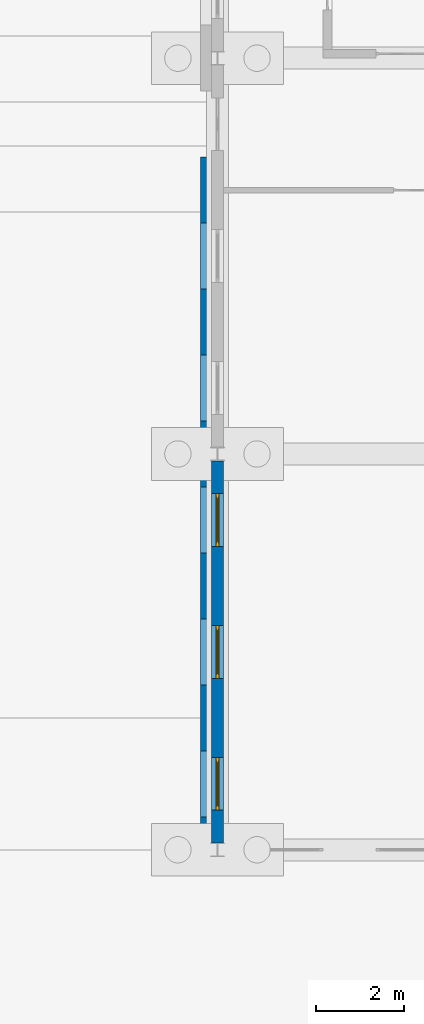
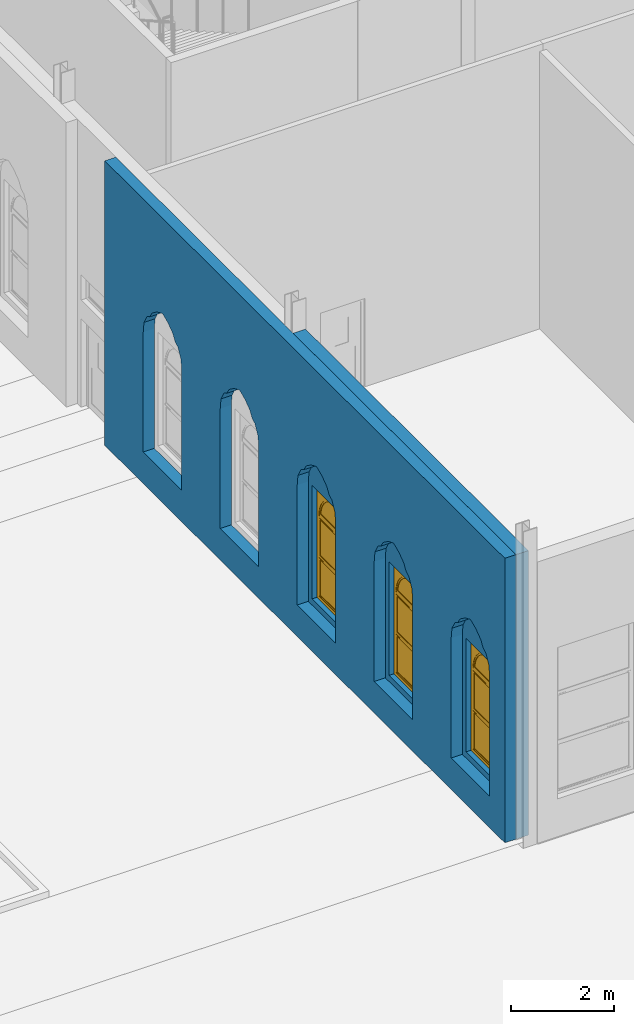
# One storey, part 100 of 250: 3 windows, 2 walls, 3 openings.
"""IFC4 building model written with IfcOpenShell, lengths in metres."""

import ifcopenshell
import ifcopenshell.guid

model = None  # the IFC model being written
_history = None  # IfcOwnerHistory: only IFC2X3 demands one
_inside = {}  # id of a spatial element -> (the spatial element, [elements in it])
_under = {}  # id of a project, library or spatial element -> (it, [spatial elements below it])
_declared = {}  # id of a project -> (the project, [libraries it declares])
_typed = {}  # id of a type object -> (the type object, [elements of that type])
_made_of = {}  # id of a material, layer set ... -> (it, [elements and type objects made of it])


def new_model(schema):
    """Start an empty IFC model of exactly this schema.

    Asked for "IFC4X3", IfcOpenShell would pick the latest addendum, in which some entities
    have other attributes; the version numbers below select the first issue.
    IFC2X3 requires an IfcOwnerHistory on every rooted entity: one is made here for all.
    """
    global model, _history
    if schema == "IFC4X3":
        model = ifcopenshell.file(schema_version=(4, 3, 0, 0))
    else:
        model = ifcopenshell.file(schema=schema)
    _inside.clear()
    _under.clear()
    _declared.clear()
    _typed.clear()
    _made_of.clear()
    _history = None
    if model.schema == "IFC2X3":
        org = make("IfcOrganization", Name="unknown")
        user = make(
            "IfcPersonAndOrganization",
            ThePerson=make("IfcPerson", FamilyName="unknown"),
            TheOrganization=org,
        )
        app = make(
            "IfcApplication",
            ApplicationDeveloper=org,
            Version="unknown",
            ApplicationFullName="unknown",
            ApplicationIdentifier="unknown",
        )
        _history = make(
            "IfcOwnerHistory",
            OwningUser=user,
            OwningApplication=app,
            ChangeAction="ADDED",
            CreationDate=0,
        )
    return model


def make(cls, **values):
    """One entity of the class cls with the attributes given. An attribute that is None is left unset."""
    return model.create_entity(
        cls, **{name: value for name, value in values.items() if value is not None}
    )


def rooted(cls, **values):
    """An entity with a GlobalId (a new one), such as an element, a storey or a relation."""
    return make(cls, GlobalId=ifcopenshell.guid.new(), OwnerHistory=_history, **values)


def si_unit(unit_type, name, prefix=None):
    """IfcSIUnit, for example si_unit("LENGTHUNIT", "METRE", prefix="MILLI")."""
    return make("IfcSIUnit", UnitType=unit_type, Prefix=prefix, Name=name)


def assignment(units):
    """IfcUnitAssignment: the units of a project."""
    return None if units is None else make("IfcUnitAssignment", Units=units)


def point(xyz):
    """IfcCartesianPoint."""
    return None if xyz is None else make("IfcCartesianPoint", Coordinates=xyz)


def direction(xyz):
    """IfcDirection."""
    return None if xyz is None else make("IfcDirection", DirectionRatios=xyz)


def frame(location, z_axis=None, x_axis=None):
    """IfcAxis2Placement3D, a coordinate frame: its origin and axes. An axis left out is left unset."""
    return make(
        "IfcAxis2Placement3D",
        Location=point(location),
        Axis=direction(z_axis),
        RefDirection=direction(x_axis),
    )


def frame_2d(location, x_axis=None):
    """IfcAxis2Placement2D, a coordinate frame in the plane: its origin and x axis."""
    return make(
        "IfcAxis2Placement2D", Location=point(location), RefDirection=direction(x_axis)
    )


def origin():
    """The frame at (0, 0, 0) with its axes left unset."""
    return frame((0.0, 0.0, 0.0))


def place(relative_to, where):
    """IfcLocalPlacement: puts the frame where relative to a parent placement (None: the world)."""
    return make(
        "IfcLocalPlacement", PlacementRelTo=relative_to, RelativePlacement=where
    )


def context(
    kind, dimensions, precision=None, world=None, true_north=None, identifier=None
):
    """IfcGeometricRepresentationContext, for example the 3D "Model" context."""
    return make(
        "IfcGeometricRepresentationContext",
        ContextIdentifier=identifier,
        ContextType=kind,
        CoordinateSpaceDimension=dimensions,
        Precision=precision,
        WorldCoordinateSystem=world,
        TrueNorth=true_north,
    )


def subcontext(parent, identifier, kind, view, scale=None):
    """IfcGeometricRepresentationSubContext, for example "Body" below "Model"."""
    return make(
        "IfcGeometricRepresentationSubContext",
        ContextIdentifier=identifier,
        ContextType=kind,
        ParentContext=parent,
        TargetScale=scale,
        TargetView=view,
    )


def project(units=None, contexts=None):
    """IfcProject with its units and contexts."""
    return rooted(
        "IfcProject",
        Name="project",
        RepresentationContexts=contexts,
        UnitsInContext=assignment(units),
    )


def spatial(cls, under=None, at=None, **own):
    """A site, building, storey or space (cls), placed at a placement, below another one or the project."""
    s = rooted(cls, ObjectPlacement=at, **own)
    if under is not None:
        _under.setdefault(under.id(), (under, []))[1].append(s)
    return s


def polyline(points):
    """IfcPolyline through the points."""
    return make("IfcPolyline", Points=[point(p) for p in points])


def profile(cls, at=None, kind="AREA", **sizes):
    """A parametric profile (cls). Its sizes go by their IFC names, for example OverallWidth=200.0."""
    return make(cls, ProfileType=kind, Position=at, **sizes)


def rectangle(**sizes):
    """IfcRectangleProfileDef."""
    return profile("IfcRectangleProfileDef", **sizes)


def outline(outer, holes=None, kind="AREA"):
    """IfcArbitraryClosedProfileDef: a profile drawn as a closed curve; with holes, ...WithVoids."""
    if holes is None:
        return make("IfcArbitraryClosedProfileDef", ProfileType=kind, OuterCurve=outer)
    return make(
        "IfcArbitraryProfileDefWithVoids",
        ProfileType=kind,
        OuterCurve=outer,
        InnerCurves=holes,
    )


def extrude(swept, where, along, depth):
    """IfcExtrudedAreaSolid: the profile swept, set in the frame where, extruded along a direction by depth."""
    return make(
        "IfcExtrudedAreaSolid",
        SweptArea=swept,
        Position=where,
        ExtrudedDirection=direction(along),
        Depth=depth,
    )


def shape(context_of_items, identifier, shape_type, items):
    """IfcShapeRepresentation: the items that make up one representation, for example the "Body"."""
    return make(
        "IfcShapeRepresentation",
        ContextOfItems=context_of_items,
        RepresentationIdentifier=identifier,
        RepresentationType=shape_type,
        Items=items,
    )


def material(Name=None, Category=None):
    """IfcMaterial."""
    return make("IfcMaterial", Name=Name, Category=Category)


def layer(
    of_material, thickness, ventilated=None, Name=None, Category=None, Priority=None
):
    """IfcMaterialLayer: one layer of a wall or slab, of a material (None: an air gap)."""
    return make(
        "IfcMaterialLayer",
        Material=of_material,
        LayerThickness=thickness,
        IsVentilated=ventilated,
        Name=Name,
        Category=Category,
        Priority=Priority,
    )


def layer_set(layers, Name=None):
    """IfcMaterialLayerSet."""
    return make("IfcMaterialLayerSet", MaterialLayers=layers, LayerSetName=Name)


def made_of(thing, what):
    """Note that an element or type object is made of a material, layer set ...; save() writes the relation."""
    if what is not None:
        _made_of.setdefault(what.id(), (what, []))[1].append(thing)
    return thing


def type_object(cls, material=None, **own):
    """A type object (cls), such as IfcWallType, which elements share."""
    return made_of(rooted(cls, **own), material)


def element(
    cls,
    number,
    at=None,
    inside=None,
    cuts=None,
    type_object=None,
    material=None,
    context=None,
    identifier="Body",
    shape_type=None,
    held_by="IfcProductDefinitionShape",
    body=None,
    shapes=None,
    **own,
):
    """One element of the class cls, such as IfcWall. Its Tag is "e" and its number.

    at: its placement. inside: the storey or other place that contains it. cuts: it is an
    opening in that element (IfcRelVoidsElement). A single representation is given by context,
    identifier, shape_type and body (its items); several are given by shapes. held_by: the class
    of the entity that holds the representations. save() writes the other relations.
    """
    e = rooted(cls, Tag="e%d" % number, ObjectPlacement=at, **own)
    if body is not None:
        shapes = [shape(context, identifier, shape_type, body)]
    if shapes is not None:
        e.Representation = make(held_by, Representations=shapes)
    if inside is not None:
        _inside.setdefault(inside.id(), (inside, []))[1].append(e)
    if cuts is not None:
        rooted(
            "IfcRelVoidsElement", RelatingBuildingElement=cuts, RelatedOpeningElement=e
        )
    if type_object is not None:
        _typed.setdefault(type_object.id(), (type_object, []))[1].append(e)
    return made_of(e, material)


def fill(opening, filler):
    """IfcRelFillsElement: the door or window that sits in an opening."""
    return rooted(
        "IfcRelFillsElement",
        RelatingOpeningElement=opening,
        RelatedBuildingElement=filler,
    )


def aggregate(whole, parts):
    """IfcRelAggregates: a whole, such as a stair, and the parts it consists of."""
    return rooted("IfcRelAggregates", RelatingObject=whole, RelatedObjects=parts)


def save(model, path):
    """Write the relations noted so far, then the file.

    IfcRelAggregates (storeys below a building ...), IfcRelContainedInSpatialStructure (elements
    in a storey), IfcRelDefinesByType, IfcRelAssociatesMaterial and IfcRelDeclares: one each for
    every whole, place, type object, material and project.
    """
    for whole, parts in _under.values():
        aggregate(whole, parts)
    for where, things in _inside.values():
        rooted(
            "IfcRelContainedInSpatialStructure",
            RelatedElements=things,
            RelatingStructure=where,
        )
    for kind, things in _typed.values():
        rooted("IfcRelDefinesByType", RelatedObjects=things, RelatingType=kind)
    for what, things in _made_of.values():
        rooted("IfcRelAssociatesMaterial", RelatedObjects=things, RelatingMaterial=what)
    for by, libraries in _declared.values():
        rooted("IfcRelDeclares", RelatingContext=by, RelatedDefinitions=libraries)
    model.write(path)


model = new_model("IFC4")

# Units and contexts
model_context = context("Model", 3, precision=1e-05, world=origin(), true_north=direction((0.0, 1.0)))
body_context = subcontext(model_context, "Body", "Model", "MODEL_VIEW")
ifc_project = project(units=[si_unit("LENGTHUNIT", "METRE"), si_unit("AREAUNIT", "SQUARE_METRE"), si_unit("VOLUMEUNIT", "CUBIC_METRE"), si_unit("PLANEANGLEUNIT", "RADIAN"), si_unit("MASSUNIT", "GRAM", prefix="KILO")], contexts=[model_context])

# Site, building, storey
site_placement = place(None, origin())
site = spatial("IfcSite", under=ifc_project, at=site_placement, CompositionType="ELEMENT")
building_placement = place(site_placement, origin())
building = spatial("IfcBuilding", under=site, at=building_placement, Name="Baradari Gate Terminus", CompositionType="ELEMENT")
storey_placement = place(building_placement, origin())
storey = spatial("IfcBuildingStorey", under=building, at=storey_placement, Name="L00", CompositionType="ELEMENT", Elevation=0.0)

# Wall, openings, windows
ifc_material_1 = material(Name="Concrete C40/50 precast", Category="concrete")
ifc_layer_1 = layer(ifc_material_1, 0.23)
ifc_material_2 = material(Name="Reconstituted stone", Category="masonry")
ifc_layer_2 = layer(ifc_material_2, 0.05)
ifc_layer_set_1 = layer_set([ifc_layer_1, ifc_layer_2], Name="Concrete C40/50 precast")
wall_type_1 = type_object("IfcWallType", Name="End wall WE-1 280", PredefinedType="SOLIDWALL", material=ifc_layer_set_1)
wall_1_placement = place(storey_placement, frame((63.0, 81.1572265625, 0.0), z_axis=(0.0, 0.0, 1.0), x_axis=(0.0, 1.0, 0.0)))
wall_1 = element("IfcWall", 1, at=wall_1_placement, inside=storey, type_object=wall_type_1, Name="court end wall HW bay 10 L00", PredefinedType="SOLIDWALL", context=body_context, shape_type="SweptSolid", body=[
    extrude(rectangle(XDim=8.685546875, YDim=0.280029296875, at=frame_2d((4.3427734375, 0.0))), origin(), (0.0, 0.0, 1.0), 6.767333984375),
])
opening_1_placement = place(wall_1_placement, frame((0.74267578125, 0.0, 0.89990234375)))
opening_1 = element("IfcOpeningElement", 2, at=opening_1_placement, cuts=wall_1, Name="Opening W7", PredefinedType="OPENING", context=body_context, shape_type="SweptSolid", body=[
    extrude(rectangle(XDim=1.199951171875, YDim=2.699951171875, at=frame_2d((0.60009765625, 1.35009765625))), frame((0.0, 0.14990234375, 0.0), z_axis=(0.0, -1.0, 0.0), x_axis=(1.0, 0.0, 0.0)), (0.0, 0.0, 1.0), 0.300048828125),
])
opening_2_placement = place(wall_1_placement, frame((3.74267578125, 0.0, 0.89990234375)))
opening_2 = element("IfcOpeningElement", 3, at=opening_2_placement, cuts=wall_1, Name="Opening W7", PredefinedType="OPENING", context=body_context, shape_type="SweptSolid", body=[
    extrude(rectangle(XDim=1.199951171875, YDim=2.699951171875, at=frame_2d((0.60009765625, 1.35009765625))), frame((0.0, 0.14990234375, 0.0), z_axis=(0.0, -1.0, 0.0), x_axis=(1.0, 0.0, 0.0)), (0.0, 0.0, 1.0), 0.300048828125),
])
opening_3_placement = place(wall_1_placement, frame((6.74267578125, 0.0, 0.89990234375)))
opening_3 = element("IfcOpeningElement", 4, at=opening_3_placement, cuts=wall_1, Name="Opening W7", PredefinedType="OPENING", context=body_context, shape_type="SweptSolid", body=[
    extrude(rectangle(XDim=1.199951171875, YDim=2.699951171875, at=frame_2d((0.60009765625, 1.35009765625))), frame((0.0, 0.14990234375, 0.0), z_axis=(0.0, -1.0, 0.0), x_axis=(1.0, 0.0, 0.0)), (0.0, 0.0, 1.0), 0.300048828125),
])
ifc_material_3 = material(Name="Aluminium 6063-T6", Category="aluminium")
window_type = type_object("IfcWindowType", Name="Service block window W7 1200x2700", PartitioningType="DOUBLE_PANEL_HORIZONTAL", PredefinedType="WINDOW", material=ifc_material_3)
window_1_placement = place(opening_1_placement, origin())
window_1 = element("IfcWindow", 5, at=window_1_placement, inside=storey, type_object=window_type, Name="Window W7 HW/09", OverallHeight=2.7, OverallWidth=1.2, PartitioningType="DOUBLE_PANEL_HORIZONTAL", PredefinedType="WINDOW", context=body_context, shape_type="SweptSolid", body=[
    extrude(outline(polyline([(0.0, 0.0), (1.199951171875, 0.0), (1.199951171875, 1.969970703125), (1.195068359375, 2.05517578125), (1.180419921875, 2.13916015625), (1.15625, 2.220947265625), (1.123046875, 2.29931640625), (1.0810546875, 2.37353515625), (1.03076171875, 2.4423828125), (0.972900390625, 2.505126953125), (0.908203125, 2.560791015625), (0.837646484375, 2.608642578125), (0.76220703125, 2.648193359375), (0.6826171875, 2.6787109375), (0.599853515625, 2.699951171875), (0.517333984375, 2.6787109375), (0.437744140625, 2.648193359375), (0.3623046875, 2.608642578125), (0.291748046875, 2.560791015625), (0.22705078125, 2.505126953125), (0.169189453125, 2.4423828125), (0.118896484375, 2.37353515625), (0.076904296875, 2.29931640625), (0.043701171875, 2.220947265625), (0.01953125, 2.13916015625), (0.0048828125, 2.05517578125), (0.0, 1.969970703125), (0.0, 0.0)]), holes=[polyline([(0.070068359375, 0.070068359375), (1.1298828125, 0.070068359375), (1.1298828125, 1.969970703125), (1.12548828125, 2.0458984375), (1.11279296875, 2.12109375), (1.091552734375, 2.1943359375), (1.062255859375, 2.2646484375), (1.025390625, 2.3310546875), (0.98095703125, 2.39306640625), (0.929931640625, 2.44970703125), (0.873046875, 2.500244140625), (0.810791015625, 2.5439453125), (0.743896484375, 2.58056640625), (0.67333984375, 2.609375), (0.60009765625, 2.6298828125), (0.526611328125, 2.609375), (0.4560546875, 2.58056640625), (0.38916015625, 2.5439453125), (0.326904296875, 2.500244140625), (0.27001953125, 2.44970703125), (0.218994140625, 2.39306640625), (0.174560546875, 2.3310546875), (0.1376953125, 2.2646484375), (0.1083984375, 2.1943359375), (0.087158203125, 2.12109375), (0.074462890625, 2.0458984375), (0.070068359375, 1.969970703125), (0.070068359375, 0.070068359375)])]), frame((0.0, 0.030029296875, 0.0), z_axis=(0.0, -1.0, 0.0), x_axis=(1.0, 0.0, 0.0)), (0.0, 0.0, 1.0), 0.06005859375),
    extrude(outline(polyline([(0.0, 1.969970703125), (0.0048828125, 2.05517578125), (0.01953125, 2.13916015625), (0.043701171875, 2.220947265625), (0.076904296875, 2.29931640625), (0.118896484375, 2.37353515625), (0.169189453125, 2.4423828125), (0.22705078125, 2.505126953125), (0.291748046875, 2.560791015625), (0.3623046875, 2.608642578125), (0.437744140625, 2.648193359375), (0.517333984375, 2.6787109375), (0.599853515625, 2.699951171875), (0.0, 2.699951171875), (0.0, 1.969970703125)])), frame((0.0, 0.028076171875, 0.0), z_axis=(0.0, -1.0, 0.0), x_axis=(1.0, 0.0, 0.0)), (0.0, 0.0, 1.0), 0.05615234375),
    extrude(outline(polyline([(0.599853515625, 2.699951171875), (0.6826171875, 2.6787109375), (0.76220703125, 2.648193359375), (0.837646484375, 2.608642578125), (0.908203125, 2.560791015625), (0.972900390625, 2.505126953125), (1.03076171875, 2.4423828125), (1.0810546875, 2.37353515625), (1.123046875, 2.29931640625), (1.15625, 2.220947265625), (1.180419921875, 2.13916015625), (1.195068359375, 2.05517578125), (1.199951171875, 1.969970703125), (1.199951171875, 2.699951171875), (0.599853515625, 2.699951171875)])), frame((0.0, 0.027099609375, 0.0), z_axis=(0.0, -1.0, 0.0), x_axis=(1.0, 0.0, 0.0)), (0.0, 0.0, 1.0), 0.05419921875),
    extrude(outline(polyline([(1.127685546875, 2.010009765625), (0.072265625, 2.010009765625), (0.070068359375, 1.969970703125), (0.070068359375, 1.929931640625), (1.1298828125, 1.929931640625), (1.1298828125, 1.969970703125), (1.127685546875, 2.010009765625)])), frame((0.0, 0.02099609375, 0.0), z_axis=(0.0, -1.0, 0.0), x_axis=(1.0, 0.0, 0.0)), (0.0, 0.0, 1.0), 0.0419921875),
    extrude(rectangle(XDim=1.059814453125, YDim=0.0400390625, at=frame_2d((0.60009765625, 1.0))), frame((0.0, 0.021484375, 0.0), z_axis=(0.0, -1.0, 0.0), x_axis=(1.0, 0.0, 0.0)), (0.0, 0.0, 1.0), 0.04296875),
    extrude(outline(polyline([(0.070068359375, 0.070068359375), (1.1298828125, 0.070068359375), (1.1298828125, 0.97998046875), (0.070068359375, 0.97998046875), (0.070068359375, 0.070068359375)]), holes=[polyline([(0.10009765625, 0.10009765625), (1.099853515625, 0.10009765625), (1.099853515625, 0.949951171875), (0.10009765625, 0.949951171875), (0.10009765625, 0.10009765625)])]), frame((0.0, 0.0224609375, 0.0), z_axis=(0.0, -1.0, 0.0), x_axis=(1.0, 0.0, 0.0)), (0.0, 0.0, 1.0), 0.044921875),
    extrude(rectangle(XDim=0.999755859375, YDim=0.849853515625, at=frame_2d((0.60009765625, 0.52490234375))), frame((0.0, 0.006103515625, 0.0), z_axis=(0.0, -1.0, 0.0), x_axis=(1.0, 0.0, 0.0)), (0.0, 0.0, 1.0), 0.01220703125),
    extrude(outline(polyline([(0.070068359375, 1.02001953125), (1.1298828125, 1.02001953125), (1.1298828125, 1.929931640625), (0.070068359375, 1.929931640625), (0.070068359375, 1.02001953125)]), holes=[polyline([(0.10009765625, 1.050048828125), (1.099853515625, 1.050048828125), (1.099853515625, 1.89990234375), (0.10009765625, 1.89990234375), (0.10009765625, 1.050048828125)])]), frame((0.0, 0.0224609375, 0.0), z_axis=(0.0, -1.0, 0.0), x_axis=(1.0, 0.0, 0.0)), (0.0, 0.0, 1.0), 0.044921875),
    extrude(rectangle(XDim=0.999755859375, YDim=0.849853515625, at=frame_2d((0.60009765625, 1.47509765625))), frame((0.0, 0.006103515625, 0.0), z_axis=(0.0, -1.0, 0.0), x_axis=(1.0, 0.0, 0.0)), (0.0, 0.0, 1.0), 0.01220703125),
    extrude(outline(polyline([(0.072265625, 2.010009765625), (1.127685546875, 2.010009765625), (1.12548828125, 2.0458984375), (1.11279296875, 2.12109375), (1.091552734375, 2.1943359375), (1.062255859375, 2.2646484375), (1.025390625, 2.3310546875), (0.98095703125, 2.39306640625), (0.929931640625, 2.44970703125), (0.873046875, 2.500244140625), (0.810791015625, 2.5439453125), (0.743896484375, 2.58056640625), (0.67333984375, 2.609375), (0.60009765625, 2.6298828125), (0.526611328125, 2.609375), (0.4560546875, 2.58056640625), (0.38916015625, 2.5439453125), (0.326904296875, 2.500244140625), (0.27001953125, 2.44970703125), (0.218994140625, 2.39306640625), (0.174560546875, 2.3310546875), (0.1376953125, 2.2646484375), (0.1083984375, 2.1943359375), (0.087158203125, 2.12109375), (0.074462890625, 2.0458984375), (0.072265625, 2.010009765625)]), holes=[polyline([(0.10986328125, 2.044921875), (0.121337890625, 2.11328125), (0.141357421875, 2.1826171875), (0.169189453125, 2.249267578125), (0.2041015625, 2.312255859375), (0.246337890625, 2.37109375), (0.294677734375, 2.4248046875), (0.3486328125, 2.47265625), (0.40771484375, 2.51416015625), (0.47119140625, 2.548828125), (0.5380859375, 2.576171875), (0.60009765625, 2.593505859375), (0.661865234375, 2.576171875), (0.728759765625, 2.548828125), (0.792236328125, 2.51416015625), (0.851318359375, 2.47265625), (0.9052734375, 2.4248046875), (0.95361328125, 2.37109375), (0.995849609375, 2.312255859375), (1.03076171875, 2.249267578125), (1.05859375, 2.1826171875), (1.07861328125, 2.11328125), (1.090087890625, 2.044921875), (0.10986328125, 2.044921875)])]), frame((0.0, 0.0224609375, 0.0), z_axis=(0.0, -1.0, 0.0), x_axis=(1.0, 0.0, 0.0)), (0.0, 0.0, 1.0), 0.044921875),
    extrude(outline(polyline([(1.090087890625, 2.044921875), (1.07861328125, 2.11328125), (1.05859375, 2.1826171875), (1.03076171875, 2.249267578125), (0.995849609375, 2.312255859375), (0.95361328125, 2.37109375), (0.9052734375, 2.4248046875), (0.851318359375, 2.47265625), (0.792236328125, 2.51416015625), (0.728759765625, 2.548828125), (0.661865234375, 2.576171875), (0.60009765625, 2.593505859375), (0.5380859375, 2.576171875), (0.47119140625, 2.548828125), (0.40771484375, 2.51416015625), (0.3486328125, 2.47265625), (0.294677734375, 2.4248046875), (0.246337890625, 2.37109375), (0.2041015625, 2.312255859375), (0.169189453125, 2.249267578125), (0.141357421875, 2.1826171875), (0.121337890625, 2.11328125), (0.10986328125, 2.044921875), (1.090087890625, 2.044921875)])), frame((0.0, 0.006103515625, 0.0), z_axis=(0.0, -1.0, 0.0), x_axis=(1.0, 0.0, 0.0)), (0.0, 0.0, 1.0), 0.01220703125),
])
fill(opening_1, window_1)
window_2_placement = place(opening_2_placement, origin())
window_2 = element("IfcWindow", 6, at=window_2_placement, inside=storey, type_object=window_type, Name="Window W7 HW/09", OverallHeight=2.7, OverallWidth=1.2, PartitioningType="DOUBLE_PANEL_HORIZONTAL", PredefinedType="WINDOW", context=body_context, shape_type="SweptSolid", body=[
    extrude(outline(polyline([(0.0, 0.0), (1.199951171875, 0.0), (1.199951171875, 1.969970703125), (1.195068359375, 2.05517578125), (1.180419921875, 2.13916015625), (1.15625, 2.220947265625), (1.123046875, 2.29931640625), (1.0810546875, 2.37353515625), (1.03076171875, 2.4423828125), (0.972900390625, 2.505126953125), (0.908203125, 2.560791015625), (0.837646484375, 2.608642578125), (0.76220703125, 2.648193359375), (0.6826171875, 2.6787109375), (0.599853515625, 2.699951171875), (0.517333984375, 2.6787109375), (0.437744140625, 2.648193359375), (0.3623046875, 2.608642578125), (0.291748046875, 2.560791015625), (0.22705078125, 2.505126953125), (0.169189453125, 2.4423828125), (0.118896484375, 2.37353515625), (0.076904296875, 2.29931640625), (0.043701171875, 2.220947265625), (0.01953125, 2.13916015625), (0.0048828125, 2.05517578125), (0.0, 1.969970703125), (0.0, 0.0)]), holes=[polyline([(0.070068359375, 0.070068359375), (1.1298828125, 0.070068359375), (1.1298828125, 1.969970703125), (1.12548828125, 2.0458984375), (1.11279296875, 2.12109375), (1.091552734375, 2.1943359375), (1.062255859375, 2.2646484375), (1.025390625, 2.3310546875), (0.98095703125, 2.39306640625), (0.929931640625, 2.44970703125), (0.873046875, 2.500244140625), (0.810791015625, 2.5439453125), (0.743896484375, 2.58056640625), (0.67333984375, 2.609375), (0.60009765625, 2.6298828125), (0.526611328125, 2.609375), (0.4560546875, 2.58056640625), (0.38916015625, 2.5439453125), (0.326904296875, 2.500244140625), (0.27001953125, 2.44970703125), (0.218994140625, 2.39306640625), (0.174560546875, 2.3310546875), (0.1376953125, 2.2646484375), (0.1083984375, 2.1943359375), (0.087158203125, 2.12109375), (0.074462890625, 2.0458984375), (0.070068359375, 1.969970703125), (0.070068359375, 0.070068359375)])]), frame((0.0, 0.030029296875, 0.0), z_axis=(0.0, -1.0, 0.0), x_axis=(1.0, 0.0, 0.0)), (0.0, 0.0, 1.0), 0.06005859375),
    extrude(outline(polyline([(0.0, 1.969970703125), (0.0048828125, 2.05517578125), (0.01953125, 2.13916015625), (0.043701171875, 2.220947265625), (0.076904296875, 2.29931640625), (0.118896484375, 2.37353515625), (0.169189453125, 2.4423828125), (0.22705078125, 2.505126953125), (0.291748046875, 2.560791015625), (0.3623046875, 2.608642578125), (0.437744140625, 2.648193359375), (0.517333984375, 2.6787109375), (0.599853515625, 2.699951171875), (0.0, 2.699951171875), (0.0, 1.969970703125)])), frame((0.0, 0.028076171875, 0.0), z_axis=(0.0, -1.0, 0.0), x_axis=(1.0, 0.0, 0.0)), (0.0, 0.0, 1.0), 0.05615234375),
    extrude(outline(polyline([(0.599853515625, 2.699951171875), (0.6826171875, 2.6787109375), (0.76220703125, 2.648193359375), (0.837646484375, 2.608642578125), (0.908203125, 2.560791015625), (0.972900390625, 2.505126953125), (1.03076171875, 2.4423828125), (1.0810546875, 2.37353515625), (1.123046875, 2.29931640625), (1.15625, 2.220947265625), (1.180419921875, 2.13916015625), (1.195068359375, 2.05517578125), (1.199951171875, 1.969970703125), (1.199951171875, 2.699951171875), (0.599853515625, 2.699951171875)])), frame((0.0, 0.027099609375, 0.0), z_axis=(0.0, -1.0, 0.0), x_axis=(1.0, 0.0, 0.0)), (0.0, 0.0, 1.0), 0.05419921875),
    extrude(outline(polyline([(1.127685546875, 2.010009765625), (0.072265625, 2.010009765625), (0.070068359375, 1.969970703125), (0.070068359375, 1.929931640625), (1.1298828125, 1.929931640625), (1.1298828125, 1.969970703125), (1.127685546875, 2.010009765625)])), frame((0.0, 0.02099609375, 0.0), z_axis=(0.0, -1.0, 0.0), x_axis=(1.0, 0.0, 0.0)), (0.0, 0.0, 1.0), 0.0419921875),
    extrude(rectangle(XDim=1.059814453125, YDim=0.0400390625, at=frame_2d((0.60009765625, 1.0))), frame((0.0, 0.021484375, 0.0), z_axis=(0.0, -1.0, 0.0), x_axis=(1.0, 0.0, 0.0)), (0.0, 0.0, 1.0), 0.04296875),
    extrude(outline(polyline([(0.070068359375, 0.070068359375), (1.1298828125, 0.070068359375), (1.1298828125, 0.97998046875), (0.070068359375, 0.97998046875), (0.070068359375, 0.070068359375)]), holes=[polyline([(0.10009765625, 0.10009765625), (1.099853515625, 0.10009765625), (1.099853515625, 0.949951171875), (0.10009765625, 0.949951171875), (0.10009765625, 0.10009765625)])]), frame((0.0, 0.0224609375, 0.0), z_axis=(0.0, -1.0, 0.0), x_axis=(1.0, 0.0, 0.0)), (0.0, 0.0, 1.0), 0.044921875),
    extrude(rectangle(XDim=0.999755859375, YDim=0.849853515625, at=frame_2d((0.60009765625, 0.52490234375))), frame((0.0, 0.006103515625, 0.0), z_axis=(0.0, -1.0, 0.0), x_axis=(1.0, 0.0, 0.0)), (0.0, 0.0, 1.0), 0.01220703125),
    extrude(outline(polyline([(0.070068359375, 1.02001953125), (1.1298828125, 1.02001953125), (1.1298828125, 1.929931640625), (0.070068359375, 1.929931640625), (0.070068359375, 1.02001953125)]), holes=[polyline([(0.10009765625, 1.050048828125), (1.099853515625, 1.050048828125), (1.099853515625, 1.89990234375), (0.10009765625, 1.89990234375), (0.10009765625, 1.050048828125)])]), frame((0.0, 0.0224609375, 0.0), z_axis=(0.0, -1.0, 0.0), x_axis=(1.0, 0.0, 0.0)), (0.0, 0.0, 1.0), 0.044921875),
    extrude(rectangle(XDim=0.999755859375, YDim=0.849853515625, at=frame_2d((0.60009765625, 1.47509765625))), frame((0.0, 0.006103515625, 0.0), z_axis=(0.0, -1.0, 0.0), x_axis=(1.0, 0.0, 0.0)), (0.0, 0.0, 1.0), 0.01220703125),
    extrude(outline(polyline([(0.072265625, 2.010009765625), (1.127685546875, 2.010009765625), (1.12548828125, 2.0458984375), (1.11279296875, 2.12109375), (1.091552734375, 2.1943359375), (1.062255859375, 2.2646484375), (1.025390625, 2.3310546875), (0.98095703125, 2.39306640625), (0.929931640625, 2.44970703125), (0.873046875, 2.500244140625), (0.810791015625, 2.5439453125), (0.743896484375, 2.58056640625), (0.67333984375, 2.609375), (0.60009765625, 2.6298828125), (0.526611328125, 2.609375), (0.4560546875, 2.58056640625), (0.38916015625, 2.5439453125), (0.326904296875, 2.500244140625), (0.27001953125, 2.44970703125), (0.218994140625, 2.39306640625), (0.174560546875, 2.3310546875), (0.1376953125, 2.2646484375), (0.1083984375, 2.1943359375), (0.087158203125, 2.12109375), (0.074462890625, 2.0458984375), (0.072265625, 2.010009765625)]), holes=[polyline([(0.10986328125, 2.044921875), (0.121337890625, 2.11328125), (0.141357421875, 2.1826171875), (0.169189453125, 2.249267578125), (0.2041015625, 2.312255859375), (0.246337890625, 2.37109375), (0.294677734375, 2.4248046875), (0.3486328125, 2.47265625), (0.40771484375, 2.51416015625), (0.47119140625, 2.548828125), (0.5380859375, 2.576171875), (0.60009765625, 2.593505859375), (0.661865234375, 2.576171875), (0.728759765625, 2.548828125), (0.792236328125, 2.51416015625), (0.851318359375, 2.47265625), (0.9052734375, 2.4248046875), (0.95361328125, 2.37109375), (0.995849609375, 2.312255859375), (1.03076171875, 2.249267578125), (1.05859375, 2.1826171875), (1.07861328125, 2.11328125), (1.090087890625, 2.044921875), (0.10986328125, 2.044921875)])]), frame((0.0, 0.0224609375, 0.0), z_axis=(0.0, -1.0, 0.0), x_axis=(1.0, 0.0, 0.0)), (0.0, 0.0, 1.0), 0.044921875),
    extrude(outline(polyline([(1.090087890625, 2.044921875), (1.07861328125, 2.11328125), (1.05859375, 2.1826171875), (1.03076171875, 2.249267578125), (0.995849609375, 2.312255859375), (0.95361328125, 2.37109375), (0.9052734375, 2.4248046875), (0.851318359375, 2.47265625), (0.792236328125, 2.51416015625), (0.728759765625, 2.548828125), (0.661865234375, 2.576171875), (0.60009765625, 2.593505859375), (0.5380859375, 2.576171875), (0.47119140625, 2.548828125), (0.40771484375, 2.51416015625), (0.3486328125, 2.47265625), (0.294677734375, 2.4248046875), (0.246337890625, 2.37109375), (0.2041015625, 2.312255859375), (0.169189453125, 2.249267578125), (0.141357421875, 2.1826171875), (0.121337890625, 2.11328125), (0.10986328125, 2.044921875), (1.090087890625, 2.044921875)])), frame((0.0, 0.006103515625, 0.0), z_axis=(0.0, -1.0, 0.0), x_axis=(1.0, 0.0, 0.0)), (0.0, 0.0, 1.0), 0.01220703125),
])
fill(opening_2, window_2)
window_3_placement = place(opening_3_placement, origin())
window_3 = element("IfcWindow", 7, at=window_3_placement, inside=storey, type_object=window_type, Name="Window W7 HW/09", OverallHeight=2.7, OverallWidth=1.2, PartitioningType="DOUBLE_PANEL_HORIZONTAL", PredefinedType="WINDOW", context=body_context, shape_type="SweptSolid", body=[
    extrude(outline(polyline([(0.0, 0.0), (1.199951171875, 0.0), (1.199951171875, 1.969970703125), (1.195068359375, 2.05517578125), (1.180419921875, 2.13916015625), (1.15625, 2.220947265625), (1.123046875, 2.29931640625), (1.0810546875, 2.37353515625), (1.03076171875, 2.4423828125), (0.972900390625, 2.505126953125), (0.908203125, 2.560791015625), (0.837646484375, 2.608642578125), (0.76220703125, 2.648193359375), (0.6826171875, 2.6787109375), (0.599853515625, 2.699951171875), (0.517333984375, 2.6787109375), (0.437744140625, 2.648193359375), (0.3623046875, 2.608642578125), (0.291748046875, 2.560791015625), (0.22705078125, 2.505126953125), (0.169189453125, 2.4423828125), (0.118896484375, 2.37353515625), (0.076904296875, 2.29931640625), (0.043701171875, 2.220947265625), (0.01953125, 2.13916015625), (0.0048828125, 2.05517578125), (0.0, 1.969970703125), (0.0, 0.0)]), holes=[polyline([(0.070068359375, 0.070068359375), (1.1298828125, 0.070068359375), (1.1298828125, 1.969970703125), (1.12548828125, 2.0458984375), (1.11279296875, 2.12109375), (1.091552734375, 2.1943359375), (1.062255859375, 2.2646484375), (1.025390625, 2.3310546875), (0.98095703125, 2.39306640625), (0.929931640625, 2.44970703125), (0.873046875, 2.500244140625), (0.810791015625, 2.5439453125), (0.743896484375, 2.58056640625), (0.67333984375, 2.609375), (0.60009765625, 2.6298828125), (0.526611328125, 2.609375), (0.4560546875, 2.58056640625), (0.38916015625, 2.5439453125), (0.326904296875, 2.500244140625), (0.27001953125, 2.44970703125), (0.218994140625, 2.39306640625), (0.174560546875, 2.3310546875), (0.1376953125, 2.2646484375), (0.1083984375, 2.1943359375), (0.087158203125, 2.12109375), (0.074462890625, 2.0458984375), (0.070068359375, 1.969970703125), (0.070068359375, 0.070068359375)])]), frame((0.0, 0.030029296875, 0.0), z_axis=(0.0, -1.0, 0.0), x_axis=(1.0, 0.0, 0.0)), (0.0, 0.0, 1.0), 0.06005859375),
    extrude(outline(polyline([(0.0, 1.969970703125), (0.0048828125, 2.05517578125), (0.01953125, 2.13916015625), (0.043701171875, 2.220947265625), (0.076904296875, 2.29931640625), (0.118896484375, 2.37353515625), (0.169189453125, 2.4423828125), (0.22705078125, 2.505126953125), (0.291748046875, 2.560791015625), (0.3623046875, 2.608642578125), (0.437744140625, 2.648193359375), (0.517333984375, 2.6787109375), (0.599853515625, 2.699951171875), (0.0, 2.699951171875), (0.0, 1.969970703125)])), frame((0.0, 0.028076171875, 0.0), z_axis=(0.0, -1.0, 0.0), x_axis=(1.0, 0.0, 0.0)), (0.0, 0.0, 1.0), 0.05615234375),
    extrude(outline(polyline([(0.599853515625, 2.699951171875), (0.6826171875, 2.6787109375), (0.76220703125, 2.648193359375), (0.837646484375, 2.608642578125), (0.908203125, 2.560791015625), (0.972900390625, 2.505126953125), (1.03076171875, 2.4423828125), (1.0810546875, 2.37353515625), (1.123046875, 2.29931640625), (1.15625, 2.220947265625), (1.180419921875, 2.13916015625), (1.195068359375, 2.05517578125), (1.199951171875, 1.969970703125), (1.199951171875, 2.699951171875), (0.599853515625, 2.699951171875)])), frame((0.0, 0.027099609375, 0.0), z_axis=(0.0, -1.0, 0.0), x_axis=(1.0, 0.0, 0.0)), (0.0, 0.0, 1.0), 0.05419921875),
    extrude(outline(polyline([(1.127685546875, 2.010009765625), (0.072265625, 2.010009765625), (0.070068359375, 1.969970703125), (0.070068359375, 1.929931640625), (1.1298828125, 1.929931640625), (1.1298828125, 1.969970703125), (1.127685546875, 2.010009765625)])), frame((0.0, 0.02099609375, 0.0), z_axis=(0.0, -1.0, 0.0), x_axis=(1.0, 0.0, 0.0)), (0.0, 0.0, 1.0), 0.0419921875),
    extrude(rectangle(XDim=1.059814453125, YDim=0.0400390625, at=frame_2d((0.60009765625, 1.0))), frame((0.0, 0.021484375, 0.0), z_axis=(0.0, -1.0, 0.0), x_axis=(1.0, 0.0, 0.0)), (0.0, 0.0, 1.0), 0.04296875),
    extrude(outline(polyline([(0.070068359375, 0.070068359375), (1.1298828125, 0.070068359375), (1.1298828125, 0.97998046875), (0.070068359375, 0.97998046875), (0.070068359375, 0.070068359375)]), holes=[polyline([(0.10009765625, 0.10009765625), (1.099853515625, 0.10009765625), (1.099853515625, 0.949951171875), (0.10009765625, 0.949951171875), (0.10009765625, 0.10009765625)])]), frame((0.0, 0.0224609375, 0.0), z_axis=(0.0, -1.0, 0.0), x_axis=(1.0, 0.0, 0.0)), (0.0, 0.0, 1.0), 0.044921875),
    extrude(rectangle(XDim=0.999755859375, YDim=0.849853515625, at=frame_2d((0.60009765625, 0.52490234375))), frame((0.0, 0.006103515625, 0.0), z_axis=(0.0, -1.0, 0.0), x_axis=(1.0, 0.0, 0.0)), (0.0, 0.0, 1.0), 0.01220703125),
    extrude(outline(polyline([(0.070068359375, 1.02001953125), (1.1298828125, 1.02001953125), (1.1298828125, 1.929931640625), (0.070068359375, 1.929931640625), (0.070068359375, 1.02001953125)]), holes=[polyline([(0.10009765625, 1.050048828125), (1.099853515625, 1.050048828125), (1.099853515625, 1.89990234375), (0.10009765625, 1.89990234375), (0.10009765625, 1.050048828125)])]), frame((0.0, 0.0224609375, 0.0), z_axis=(0.0, -1.0, 0.0), x_axis=(1.0, 0.0, 0.0)), (0.0, 0.0, 1.0), 0.044921875),
    extrude(rectangle(XDim=0.999755859375, YDim=0.849853515625, at=frame_2d((0.60009765625, 1.47509765625))), frame((0.0, 0.006103515625, 0.0), z_axis=(0.0, -1.0, 0.0), x_axis=(1.0, 0.0, 0.0)), (0.0, 0.0, 1.0), 0.01220703125),
    extrude(outline(polyline([(0.072265625, 2.010009765625), (1.127685546875, 2.010009765625), (1.12548828125, 2.0458984375), (1.11279296875, 2.12109375), (1.091552734375, 2.1943359375), (1.062255859375, 2.2646484375), (1.025390625, 2.3310546875), (0.98095703125, 2.39306640625), (0.929931640625, 2.44970703125), (0.873046875, 2.500244140625), (0.810791015625, 2.5439453125), (0.743896484375, 2.58056640625), (0.67333984375, 2.609375), (0.60009765625, 2.6298828125), (0.526611328125, 2.609375), (0.4560546875, 2.58056640625), (0.38916015625, 2.5439453125), (0.326904296875, 2.500244140625), (0.27001953125, 2.44970703125), (0.218994140625, 2.39306640625), (0.174560546875, 2.3310546875), (0.1376953125, 2.2646484375), (0.1083984375, 2.1943359375), (0.087158203125, 2.12109375), (0.074462890625, 2.0458984375), (0.072265625, 2.010009765625)]), holes=[polyline([(0.10986328125, 2.044921875), (0.121337890625, 2.11328125), (0.141357421875, 2.1826171875), (0.169189453125, 2.249267578125), (0.2041015625, 2.312255859375), (0.246337890625, 2.37109375), (0.294677734375, 2.4248046875), (0.3486328125, 2.47265625), (0.40771484375, 2.51416015625), (0.47119140625, 2.548828125), (0.5380859375, 2.576171875), (0.60009765625, 2.593505859375), (0.661865234375, 2.576171875), (0.728759765625, 2.548828125), (0.792236328125, 2.51416015625), (0.851318359375, 2.47265625), (0.9052734375, 2.4248046875), (0.95361328125, 2.37109375), (0.995849609375, 2.312255859375), (1.03076171875, 2.249267578125), (1.05859375, 2.1826171875), (1.07861328125, 2.11328125), (1.090087890625, 2.044921875), (0.10986328125, 2.044921875)])]), frame((0.0, 0.0224609375, 0.0), z_axis=(0.0, -1.0, 0.0), x_axis=(1.0, 0.0, 0.0)), (0.0, 0.0, 1.0), 0.044921875),
    extrude(outline(polyline([(1.090087890625, 2.044921875), (1.07861328125, 2.11328125), (1.05859375, 2.1826171875), (1.03076171875, 2.249267578125), (0.995849609375, 2.312255859375), (0.95361328125, 2.37109375), (0.9052734375, 2.4248046875), (0.851318359375, 2.47265625), (0.792236328125, 2.51416015625), (0.728759765625, 2.548828125), (0.661865234375, 2.576171875), (0.60009765625, 2.593505859375), (0.5380859375, 2.576171875), (0.47119140625, 2.548828125), (0.40771484375, 2.51416015625), (0.3486328125, 2.47265625), (0.294677734375, 2.4248046875), (0.246337890625, 2.37109375), (0.2041015625, 2.312255859375), (0.169189453125, 2.249267578125), (0.141357421875, 2.1826171875), (0.121337890625, 2.11328125), (0.10986328125, 2.044921875), (1.090087890625, 2.044921875)])), frame((0.0, 0.006103515625, 0.0), z_axis=(0.0, -1.0, 0.0), x_axis=(1.0, 0.0, 0.0)), (0.0, 0.0, 1.0), 0.01220703125),
])
fill(opening_3, window_3)

# Wall
ifc_material_4 = material(Name="Laterite masonry", Category="masonry")
ifc_layer_3 = layer(ifc_material_4, 0.25)
ifc_layer_set_2 = layer_set([ifc_layer_3], Name="Laterite masonry")
wall_type_2 = type_object("IfcWallType", Name="Laterite masonry wall WP-1 250", PredefinedType="SOLIDWALL", material=ifc_layer_set_2)
wall_2_placement = place(storey_placement, frame((62.735107421875, 81.1572265625, 0.0), z_axis=(0.0, 0.0, 1.0), x_axis=(0.0, 1.0, 0.0)))
element("IfcWall", 8, at=wall_2_placement, inside=storey, type_object=wall_type_2, Name="Front course HW 1a 1", PredefinedType="SOLIDWALL", context=body_context, shape_type="SweptSolid", body=[
    extrude(outline(polyline([(0.0, 0.0), (15.5927734375, 0.0), (15.5927734375, 6.767333984375), (0.0, 6.767333984375), (0.0, 0.0)]), holes=[polyline([(0.622802734375, 3.85205078125), (0.74267578125, 4.068115234375), (0.84765625, 4.1220703125), (0.937744140625, 4.26611328125), (1.1328125, 4.409912109375), (1.3427734375, 4.5), (1.552734375, 4.409912109375), (1.747802734375, 4.26611328125), (1.837646484375, 4.1220703125), (1.942626953125, 4.068115234375), (2.062744140625, 3.85205078125), (2.0927734375, 3.60009765625), (2.0927734375, 0.75), (0.5927734375, 0.75), (0.5927734375, 3.60009765625), (0.622802734375, 3.85205078125)]), polyline([(3.622802734375, 3.85205078125), (3.74267578125, 4.068115234375), (3.84765625, 4.1220703125), (3.937744140625, 4.26611328125), (4.1328125, 4.409912109375), (4.3427734375, 4.5), (4.552734375, 4.409912109375), (4.747802734375, 4.26611328125), (4.837646484375, 4.1220703125), (4.942626953125, 4.068115234375), (5.062744140625, 3.85205078125), (5.0927734375, 3.60009765625), (5.0927734375, 0.75), (3.5927734375, 0.75), (3.5927734375, 3.60009765625), (3.622802734375, 3.85205078125)]), polyline([(6.622802734375, 3.85205078125), (6.74267578125, 4.068115234375), (6.84765625, 4.1220703125), (6.937744140625, 4.26611328125), (7.1328125, 4.409912109375), (7.3427734375, 4.5), (7.552734375, 4.409912109375), (7.747802734375, 4.26611328125), (7.837646484375, 4.1220703125), (7.942626953125, 4.068115234375), (8.062744140625, 3.85205078125), (8.0927734375, 3.60009765625), (8.0927734375, 0.75), (6.5927734375, 0.75), (6.5927734375, 3.60009765625), (6.622802734375, 3.85205078125)]), polyline([(9.74267578125, 4.068115234375), (9.84765625, 4.1220703125), (9.937744140625, 4.26611328125), (10.1328125, 4.409912109375), (10.3427734375, 4.5), (10.552734375, 4.409912109375), (10.747802734375, 4.26611328125), (10.837646484375, 4.1220703125), (10.942626953125, 4.068115234375), (11.062744140625, 3.85205078125), (11.0927734375, 3.60009765625), (11.0927734375, 0.75), (9.5927734375, 0.75), (9.5927734375, 3.60009765625), (9.622802734375, 3.85205078125), (9.74267578125, 4.068115234375)]), polyline([(12.74267578125, 4.068115234375), (12.84765625, 4.1220703125), (12.937744140625, 4.26611328125), (13.1328125, 4.409912109375), (13.3427734375, 4.5), (13.552734375, 4.409912109375), (13.747802734375, 4.26611328125), (13.837646484375, 4.1220703125), (13.942626953125, 4.068115234375), (14.062744140625, 3.85205078125), (14.0927734375, 3.60009765625), (14.0927734375, 0.75), (12.5927734375, 0.75), (12.5927734375, 3.60009765625), (12.622802734375, 3.85205078125), (12.74267578125, 4.068115234375)])]), frame((0.0, 0.125, 0.0), z_axis=(0.0, -1.0, 0.0), x_axis=(1.0, 0.0, 0.0)), (0.0, 0.0, 1.0), 0.25),
])

save(model, "model.ifc")
